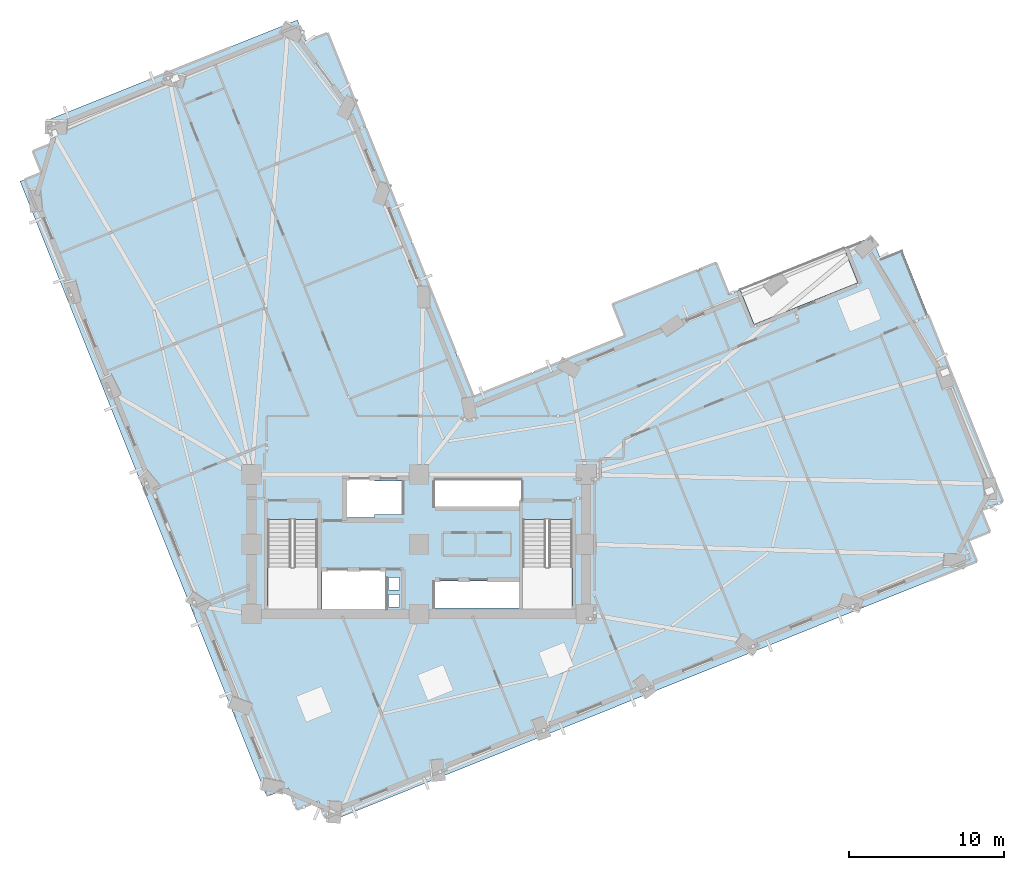
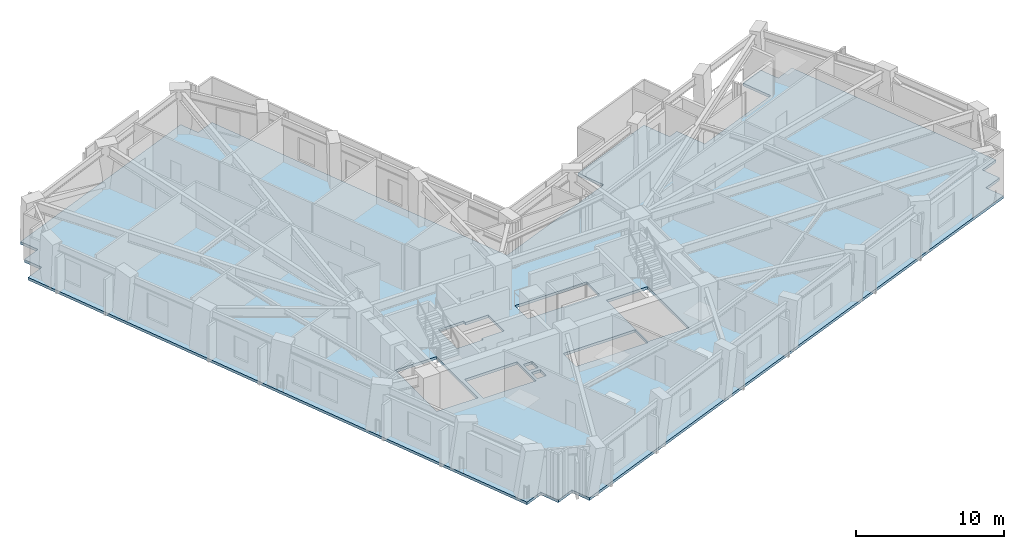
# One storey, part 4 of 16: 1 slab.
"""IFC4 building model written with IfcOpenShell, lengths in metres."""

from ifc_helpers import new_model, si_unit, direction, frame, origin, place, context, subcontext, project, spatial, polyline, outline, extrude, material, layer, layer_set, type_object, element, save


model = new_model("IFC4")

# Units and contexts
model_context = context("Model", 3, precision=1e-05, world=origin(), true_north=direction((0.0, 1.0)))
body_context = subcontext(model_context, "Body", "Model", "MODEL_VIEW")
ifc_project = project(units=[si_unit("LENGTHUNIT", "METRE"), si_unit("AREAUNIT", "SQUARE_METRE"), si_unit("VOLUMEUNIT", "CUBIC_METRE"), si_unit("PLANEANGLEUNIT", "RADIAN"), si_unit("MASSUNIT", "GRAM", prefix="KILO")], contexts=[model_context])

# Site, building, storey
site_placement = place(None, origin())
site = spatial("IfcSite", under=ifc_project, at=site_placement, CompositionType="ELEMENT")
building_placement = place(site_placement, origin())
building = spatial("IfcBuilding", under=site, at=building_placement, Name="Gaonmaruhae Medical Tower", CompositionType="ELEMENT")
storey_placement = place(building_placement, frame((0.0, 0.0, 116.39990234375)))
storey = spatial("IfcBuildingStorey", under=building, at=storey_placement, Name="L27", CompositionType="ELEMENT", Elevation=116.39990234375)

# Slab
ifc_material = material(Name="Concrete C40/50", Category="concrete")
ifc_layer = layer(ifc_material, 0.219970703125)
ifc_layer_set = layer_set([ifc_layer], Name="Concrete C40/50")
slab_type = type_object("IfcSlabType", Name="FS-220 Clinical Ward Composite Floor Slab", PredefinedType="FLOOR", material=ifc_layer_set)
slab_placement = place(storey_placement, frame((0.0, 0.0, -0.219970703125)))
element("IfcSlab", 1, at=slab_placement, inside=storey, type_object=slab_type, Name="L27 Structural Slab 1", PredefinedType="FLOOR", context=body_context, shape_type="SweptSolid", body=[
    extrude(outline(polyline([(54.59716796875, 30.741455078125), (55.989501953125, 31.2998046875), (62.50244140625, 15.056884765625), (61.110107421875, 14.498779296875), (61.66845703125, 13.1064453125), (60.2763671875, 12.548095703125), (60.83447265625, 11.156005859375), (18.881591796875, -5.66650390625), (18.323486328125, -4.2744140625), (16.93115234375, -4.83251953125), (16.372802734375, -3.440185546875), (14.980712890625, -3.99853515625), (-0.948486328125, 35.726806640625), (0.443603515625, 36.284912109375), (-0.114501953125, 37.67724609375), (1.277587890625, 38.235595703125), (0.71923828125, 39.627685546875), (16.962158203125, 46.140869140625), (17.5205078125, 44.74853515625), (18.91259765625, 45.306884765625), (28.328857421875, 21.824462890625), (38.120849609375, 25.7509765625), (37.302001953125, 27.792724609375), (43.98486328125, 30.472412109375), (44.8037109375, 28.4306640625), (45.546142578125, 28.728271484375), (46.439453125, 26.500732421875), (53.122314453125, 29.180419921875), (52.22900390625, 31.407958984375), (54.038818359375, 32.1337890625), (54.59716796875, 30.741455078125)]), holes=[polyline([(23.550048828125, 8.25), (22.85009765625, 8.25), (22.85009765625, 9.050048828125), (23.550048828125, 9.050048828125), (23.550048828125, 8.25)]), polyline([(25.824951171875, 9.925048828125), (31.425048828125, 9.925048828125), (31.425048828125, 8.175048828125), (25.824951171875, 8.175048828125), (25.824951171875, 9.925048828125)]), polyline([(22.64990234375, 10.625), (22.64990234375, 8.074951171875), (18.550048828125, 8.074951171875), (18.550048828125, 10.625), (22.64990234375, 10.625)]), polyline([(23.550048828125, 9.35009765625), (22.85009765625, 9.35009765625), (22.85009765625, 10.14990234375), (23.550048828125, 10.14990234375), (23.550048828125, 9.35009765625)]), polyline([(15.050048828125, 13.889892578125), (18.25, 13.889892578125), (18.25, 8.300048828125), (15.050048828125, 8.300048828125), (15.050048828125, 13.889892578125)]), polyline([(31.5, 13.889892578125), (34.699951171875, 13.889892578125), (34.699951171875, 8.300048828125), (31.5, 8.300048828125), (31.5, 13.889892578125)]), polyline([(21.949951171875, 14.22509765625), (21.949951171875, 14.02490234375), (19.949951171875, 14.02490234375), (19.949951171875, 16.574951171875), (21.949951171875, 16.574951171875), (21.949951171875, 16.375), (23.72509765625, 16.375), (23.72509765625, 14.22509765625), (21.949951171875, 14.22509765625)]), polyline([(25.824951171875, 16.425048828125), (31.425048828125, 16.425048828125), (31.425048828125, 14.675048828125), (25.824951171875, 14.675048828125), (25.824951171875, 16.425048828125)])]), origin(), (0.0, 0.0, 1.0), 0.219970703125),
])

save(model, "model.ifc")
